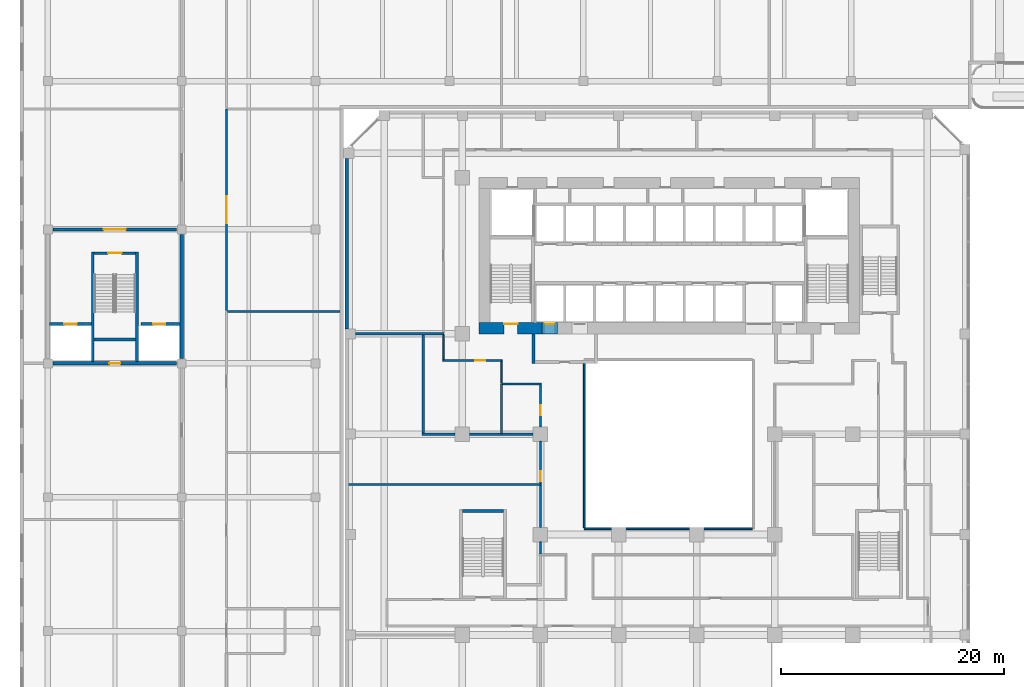
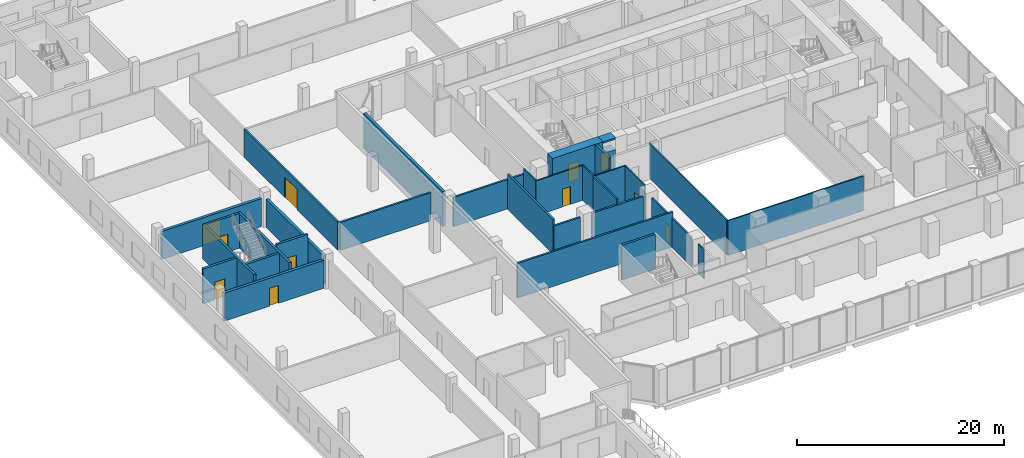
# One storey, part 17 of 35: 33 walls, 11 doors, 11 openings.
"""IFC4 building model written with IfcOpenShell, lengths in metres."""

from ifc_helpers import new_model, si_unit, direction, frame, frame_2d, origin, place, context, subcontext, project, spatial, rectangle, extrude, source, transform, mapped, material, layer, layer_set, type_object, element, fill, save


model = new_model("IFC4")

# Units and contexts
model_context = context("Model", 3, precision=1e-05, world=origin(), true_north=direction((0.0, 1.0)))
body_context = subcontext(model_context, "Body", "Model", "MODEL_VIEW")
ifc_project = project(units=[si_unit("LENGTHUNIT", "METRE"), si_unit("AREAUNIT", "SQUARE_METRE"), si_unit("VOLUMEUNIT", "CUBIC_METRE"), si_unit("PLANEANGLEUNIT", "RADIAN"), si_unit("MASSUNIT", "GRAM", prefix="KILO")], contexts=[model_context])

# Site, building, storey
site_placement = place(None, origin())
site = spatial("IfcSite", under=ifc_project, at=site_placement, CompositionType="ELEMENT")
building_placement = place(site_placement, origin())
building = spatial("IfcBuilding", under=site, at=building_placement, Name="Kilnfold Tower and Market Hall", CompositionType="ELEMENT")
storey_placement = place(building_placement, frame((0.0, 0.0, 13.5)))
storey = spatial("IfcBuildingStorey", under=building, at=storey_placement, Name="L02", CompositionType="ELEMENT", Elevation=13.5)

# Walls
ifc_material_1 = material(Name="Fire-resisting glazed screen")
ifc_layer_1 = layer(ifc_material_1, 0.14990234375)
ifc_layer_set_1 = layer_set([ifc_layer_1], Name="Fire-resisting glazed screen")
wall_type_1 = type_object("IfcWallType", Name="WALL ATRIUM 150", PredefinedType="PARTITIONING", material=ifc_layer_set_1)
wall_1_placement = place(storey_placement, frame((8.5, -9.47509765625, 0.0), z_axis=(0.0, 0.0, 1.0), x_axis=(-1.0, 0.0, 0.0)))
element("IfcWall", 1, at=wall_1_placement, inside=storey, type_object=wall_type_1, Name="Partition LY03.67", PredefinedType="PARTITIONING", context=body_context, shape_type="SweptSolid", body=[
    extrude(rectangle(XDim=15.074951171875, YDim=0.14990234375, at=frame_2d((7.53759765625, 0.0))), origin(), (0.0, 0.0, 1.0), 4.10009765625),
])
wall_2_placement = place(storey_placement, frame((-6.574951171875, -9.39990234375, 0.0), z_axis=(0.0, 0.0, 1.0), x_axis=(0.0, 1.0, 0.0)))
element("IfcWall", 2, at=wall_2_placement, inside=storey, type_object=wall_type_1, Name="Partition LY03.68", PredefinedType="PARTITIONING", context=body_context, shape_type="SweptSolid", body=[
    extrude(rectangle(XDim=15.0, YDim=0.14990234375, at=frame_2d((7.5, 0.0))), origin(), (0.0, 0.0, 1.0), 4.10009765625),
])
ifc_material_2 = material(Name="Gypsum board on steel studs", Category="steel")
ifc_layer_2 = layer(ifc_material_2, 0.14990234375)
ifc_layer_set_2 = layer_set([ifc_layer_2], Name="Gypsum board on steel studs")
wall_type_2 = type_object("IfcWallType", Name="WALL CORRIDOR 150", PredefinedType="PARTITIONING", material=ifc_layer_set_2)
wall_3_placement = place(storey_placement, frame((-10.5, -11.72509765625, 0.0), z_axis=(0.0, 0.0, 1.0), x_axis=(0.0, 1.0, 0.0)))
element("IfcWall", 3, at=wall_3_placement, inside=storey, type_object=wall_type_2, Name="Partition LY03.5", PredefinedType="PARTITIONING", context=body_context, shape_type="SweptSolid", body=[
    extrude(rectangle(XDim=1.0751953125, YDim=0.14990234375, at=frame_2d((0.53759765625, 0.0))), origin(), (0.0, 0.0, 1.0), 3.449951171875),
])
wall_4_placement = place(storey_placement, frame((-10.5, -9.35009765625, 0.0), z_axis=(0.0, 0.0, 1.0), x_axis=(0.0, 1.0, 0.0)))
element("IfcWall", 4, at=wall_4_placement, inside=storey, type_object=wall_type_2, Name="Partition LY03.6", PredefinedType="PARTITIONING", context=body_context, shape_type="SweptSolid", body=[
    extrude(rectangle(XDim=3.760009765625, YDim=0.14990234375, at=frame_2d((1.8798828125, 0.0))), origin(), (0.0, 0.0, 1.0), 3.449951171875),
])

# Wall, opening, door
wall_5_placement = place(storey_placement, frame((-10.5, -5.409912109375, 0.0), z_axis=(0.0, 0.0, 1.0), x_axis=(0.0, 1.0, 0.0)))
wall_5 = element("IfcWall", 5, at=wall_5_placement, inside=storey, type_object=wall_type_2, Name="Partition LY03.7", PredefinedType="PARTITIONING", context=body_context, shape_type="SweptSolid", body=[
    extrude(rectangle(XDim=3.760009765625, YDim=0.14990234375, at=frame_2d((1.8798828125, 0.0))), origin(), (0.0, 0.0, 1.0), 3.449951171875),
])
opening_1_placement = place(wall_5_placement, frame((0.199951171875, 0.0, 0.0)))
opening_1 = element("IfcOpeningElement", 6, at=opening_1_placement, cuts=wall_5, Name="Opening D2", PredefinedType="OPENING", context=body_context, shape_type="SweptSolid", body=[
    extrude(rectangle(XDim=0.89990234375, YDim=2.10009765625, at=frame_2d((0.449951171875, 1.050048828125))), frame((0.0, 0.0849609375, 0.0), z_axis=(0.0, -1.0, 0.0), x_axis=(1.0, 0.0, 0.0)), (0.0, 0.0, 1.0), 0.169921875),
])
ifc_material_3 = material(Name="Timber veneer door leaf in steel frame", Category="steel")
door_type_1 = type_object("IfcDoorType", Name="DOOR ROOM 900 X2100", OperationType="NOTDEFINED", PredefinedType="DOOR", material=ifc_material_3)
door_1_placement = place(opening_1_placement, origin())
door_1 = element("IfcDoor", 7, at=door_1_placement, inside=storey, type_object=door_type_1, Name="Door D2", OperationType="SINGLE_SWING_LEFT", OverallHeight=2.10009765625, OverallWidth=0.89990234375, PredefinedType="DOOR", context=body_context, shape_type="SweptSolid", body=[
    extrude(rectangle(XDim=0.89990234375, YDim=2.10009765625, at=frame_2d((0.449951171875, 1.050048828125))), frame((0.0, 0.02490234375, 0.0), z_axis=(0.0, -1.0, 0.0), x_axis=(1.0, 0.0, 0.0)), (0.0, 0.0, 1.0), 0.050048828125),
])
fill(opening_1, door_1)

# Wall
wall_6_placement = place(storey_placement, frame((-14.0, 5.52490234375, 0.0), z_axis=(0.0, 0.0, 1.0), x_axis=(0.0, -1.0, 0.0)))
element("IfcWall", 8, at=wall_6_placement, inside=storey, type_object=wall_type_2, Name="Partition LY03.11", PredefinedType="PARTITIONING", context=body_context, shape_type="SweptSolid", body=[
    extrude(rectangle(XDim=1.949951171875, YDim=0.14990234375, at=frame_2d((0.97509765625, 0.0))), origin(), (0.0, 0.0, 1.0), 4.10009765625),
])

# Wall, opening, door
wall_7_placement = place(storey_placement, frame((-19.27490234375, 5.60009765625, 0.0), z_axis=(0.0, 0.0, 1.0), x_axis=(1.0, 0.0, 0.0)))
wall_7 = element("IfcWall", 9, at=wall_7_placement, inside=storey, type_object=wall_type_2, Name="Partition LY03.12", PredefinedType="PARTITIONING", context=body_context, shape_type="SweptSolid", body=[
    extrude(rectangle(XDim=5.349853515625, YDim=0.14990234375, at=frame_2d((2.6748046875, 0.0))), origin(), (0.0, 0.0, 1.0), 4.10009765625),
])
opening_2_placement = place(wall_7_placement, frame((2.93408203125, 0.0, 0.0)))
opening_2 = element("IfcOpeningElement", 10, at=opening_2_placement, cuts=wall_7, Name="Opening D2", PredefinedType="OPENING", context=body_context, shape_type="SweptSolid", body=[
    extrude(rectangle(XDim=0.89990234375, YDim=2.10009765625, at=frame_2d((0.449951171875, 1.050048828125))), frame((0.0, 0.0849609375, 0.0), z_axis=(0.0, -1.0, 0.0), x_axis=(1.0, 0.0, 0.0)), (0.0, 0.0, 1.0), 0.169921875),
])
door_2_placement = place(opening_2_placement, origin())
door_2 = element("IfcDoor", 11, at=door_2_placement, inside=storey, type_object=door_type_1, Name="Door D2", OperationType="SINGLE_SWING_RIGHT", OverallHeight=2.10009765625, OverallWidth=0.89990234375, PredefinedType="DOOR", context=body_context, shape_type="SweptSolid", body=[
    extrude(rectangle(XDim=0.89990234375, YDim=2.10009765625, at=frame_2d((0.449951171875, 1.050048828125))), frame((0.0, 0.02490234375, 0.0), z_axis=(0.0, -1.0, 0.0), x_axis=(1.0, 0.0, 0.0)), (0.0, 0.0, 1.0), 0.050048828125),
])
fill(opening_2, door_2)

# Wall
wall_8_placement = place(storey_placement, frame((-19.199951171875, 5.675048828125, 0.0), z_axis=(0.0, 0.0, 1.0), x_axis=(0.0, 1.0, 0.0)))
element("IfcWall", 12, at=wall_8_placement, inside=storey, type_object=wall_type_2, Name="Partition LY03.13", PredefinedType="PARTITIONING", context=body_context, shape_type="SweptSolid", body=[
    extrude(rectangle(XDim=2.23486328125, YDim=0.14990234375, at=frame_2d((1.117431640625, 0.0))), origin(), (0.0, 0.0, 1.0), 4.10009765625),
])

# Wall, opening, door
wall_9_placement = place(storey_placement, frame((-10.5, -0.35009765625, 0.0), z_axis=(0.0, 0.0, 1.0), x_axis=(0.0, 1.0, 0.0)))
wall_9 = element("IfcWall", 13, at=wall_9_placement, inside=storey, type_object=wall_type_2, Name="Partition LY03.14", PredefinedType="PARTITIONING", context=body_context, shape_type="SweptSolid", body=[
    extrude(rectangle(XDim=3.775146484375, YDim=0.14990234375, at=frame_2d((1.8876953125, 0.0))), origin(), (0.0, 0.0, 1.0), 4.10009765625),
])
opening_3_placement = place(wall_9_placement, frame((1.02490234375, 0.0, 0.0)))
opening_3 = element("IfcOpeningElement", 14, at=opening_3_placement, cuts=wall_9, Name="Opening D2", PredefinedType="OPENING", context=body_context, shape_type="SweptSolid", body=[
    extrude(rectangle(XDim=0.89990234375, YDim=2.10009765625, at=frame_2d((0.449951171875, 1.050048828125))), frame((0.0, 0.0849609375, 0.0), z_axis=(0.0, -1.0, 0.0), x_axis=(1.0, 0.0, 0.0)), (0.0, 0.0, 1.0), 0.169921875),
])
door_3_placement = place(opening_3_placement, origin())
door_3 = element("IfcDoor", 15, at=door_3_placement, inside=storey, type_object=door_type_1, Name="Door D2", OperationType="SINGLE_SWING_LEFT", OverallHeight=2.10009765625, OverallWidth=0.89990234375, PredefinedType="DOOR", context=body_context, shape_type="SweptSolid", body=[
    extrude(rectangle(XDim=0.89990234375, YDim=2.10009765625, at=frame_2d((0.449951171875, 1.050048828125))), frame((0.0, 0.02490234375, 0.0), z_axis=(0.0, -1.0, 0.0), x_axis=(1.0, 0.0, 0.0)), (0.0, 0.0, 1.0), 0.050048828125),
])
fill(opening_3, door_3)

# Walls
wall_10_placement = place(storey_placement, frame((-13.90087890625, 3.5, 0.0), z_axis=(0.0, 0.0, 1.0), x_axis=(1.0, 0.0, 0.0)))
element("IfcWall", 16, at=wall_10_placement, inside=storey, type_object=wall_type_2, Name="Partition LY03.15", PredefinedType="PARTITIONING", context=body_context, shape_type="SweptSolid", body=[
    extrude(rectangle(XDim=3.475830078125, YDim=0.14990234375, at=frame_2d((1.73779296875, 0.0))), origin(), (0.0, 0.0, 1.0), 4.10009765625),
])
ifc_material_4 = material(Name="Gypsum board on steel studs", Category="steel")
ifc_layer_3 = layer(ifc_material_4, 0.199951171875)
ifc_layer_set_3 = layer_set([ifc_layer_3], Name="Gypsum board on steel studs")
wall_type_3 = type_object("IfcWallType", Name="WALL PARTY 200", PredefinedType="PARTITIONING", material=ifc_layer_set_3)
wall_11_placement = place(storey_placement, frame((-27.75, -5.5, 0.0), z_axis=(0.0, 0.0, 1.0), x_axis=(1.0, 0.0, 0.0)))
element("IfcWall", 17, at=wall_11_placement, inside=storey, type_object=wall_type_3, Name="Partition LY03.42", PredefinedType="PARTITIONING", context=body_context, shape_type="SweptSolid", body=[
    extrude(rectangle(XDim=17.323974609375, YDim=0.199951171875, at=frame_2d((8.662109375, 0.0))), origin(), (0.0, 0.0, 1.0), 4.10009765625),
])
wall_12_placement = place(storey_placement, frame((-27.10009765625, 8.0, 0.0), z_axis=(0.0, 0.0, 1.0), x_axis=(1.0, 0.0, 0.0)))
element("IfcWall", 18, at=wall_12_placement, inside=storey, type_object=wall_type_3, Name="Partition LY03.46", PredefinedType="PARTITIONING", context=body_context, shape_type="SweptSolid", body=[
    extrude(rectangle(XDim=7.97412109375, YDim=0.199951171875, at=frame_2d((3.987060546875, 0.0))), origin(), (0.0, 0.0, 1.0), 3.449951171875),
])
wall_13_placement = place(storey_placement, frame((-21.097900390625, -1.0, 0.0), z_axis=(0.0, 0.0, 1.0), x_axis=(1.0, 0.0, 0.0)))
element("IfcWall", 19, at=wall_13_placement, inside=storey, type_object=wall_type_3, Name="Partition LY03.47", PredefinedType="PARTITIONING", context=body_context, shape_type="SweptSolid", body=[
    extrude(rectangle(XDim=2.947998046875, YDim=0.199951171875, at=frame_2d((1.47412109375, 0.0))), origin(), (0.0, 0.0, 1.0), 3.449951171875),
])
wall_14_placement = place(storey_placement, frame((-16.85009765625, -1.0, 0.0), z_axis=(0.0, 0.0, 1.0), x_axis=(1.0, 0.0, 0.0)))
element("IfcWall", 20, at=wall_14_placement, inside=storey, type_object=wall_type_3, Name="Partition LY03.48", PredefinedType="PARTITIONING", context=body_context, shape_type="SweptSolid", body=[
    extrude(rectangle(XDim=5.7001953125, YDim=0.199951171875, at=frame_2d((2.85009765625, 0.0))), origin(), (0.0, 0.0, 1.0), 3.449951171875),
])
wall_15_placement = place(storey_placement, frame((-21.0, -0.89794921875, 0.0), z_axis=(0.0, 0.0, 1.0), x_axis=(0.0, 1.0, 0.0)))
element("IfcWall", 21, at=wall_15_placement, inside=storey, type_object=wall_type_3, Name="Partition LY03.49", PredefinedType="PARTITIONING", context=body_context, shape_type="SweptSolid", body=[
    extrude(rectangle(XDim=8.7978515625, YDim=0.199951171875, at=frame_2d((4.39892578125, 0.0))), origin(), (0.0, 0.0, 1.0), 4.10009765625),
])
wall_16_placement = place(storey_placement, frame((-14.0, -1.0, 0.0), z_axis=(0.0, 0.0, 1.0), x_axis=(-0.000216579128, 0.999999976547, 0.0)))
element("IfcWall", 22, at=wall_16_placement, inside=storey, type_object=wall_type_3, Name="Partition LY03.53", PredefinedType="PARTITIONING", context=body_context, shape_type="SweptSolid", body=[
    extrude(rectangle(XDim=4.509033203125, YDim=0.199951171875, at=frame_2d((2.25439453125, 0.0))), origin(), (0.0, 0.0, 1.0), 4.10009765625),
])

# Wall, opening, door
ifc_material_5 = material(Name="Concrete C80", Category="concrete")
ifc_layer_4 = layer(ifc_material_5, 1.0)
ifc_layer_set_4 = layer_set([ifc_layer_4], Name="Concrete C80")
wall_type_4 = type_object("IfcWallType", Name="CORE WALL 1000 C80", PredefinedType="SHEAR", material=ifc_layer_set_4)
shared_shape_1 = source(origin(), body_context, "Body", "SweptSolid", [
    extrude(rectangle(XDim=5.6298828125, YDim=1.0, at=frame_2d((2.81494140625, 0.0))), origin(), (0.0, 0.0, 1.0), 4.10009765625),
])
wall_17_placement = place(storey_placement, frame((-16.0, 8.5, 0.0), z_axis=(0.0, 0.0, 1.0), x_axis=(1.0, 0.0, 0.0)))
wall_17 = element("IfcWall", 23, at=wall_17_placement, inside=storey, type_object=wall_type_4, Name="Core outer wall south", PredefinedType="SHEAR", context=body_context, shape_type="MappedRepresentation", body=[
    mapped(shared_shape_1, transform((0.0, 0.0, 0.0))),
])
opening_4_placement = place(wall_17_placement, frame((2.25, 0.0, 0.0)))
opening_4 = element("IfcOpeningElement", 24, at=opening_4_placement, cuts=wall_17, Name="Opening SD1", PredefinedType="OPENING", context=body_context, shape_type="SweptSolid", body=[
    extrude(rectangle(XDim=1.199951171875, YDim=2.10009765625, at=frame_2d((0.60009765625, 1.050048828125))), frame((0.0, 0.510009765625, 0.0), z_axis=(0.0, -1.0, 0.0), x_axis=(1.0, 0.0, 0.0)), (0.0, 0.0, 1.0), 1.02001953125),
])
ifc_material_6 = material(Name="Steel door set with fire-resisting leaf", Category="steel")
door_type_2 = type_object("IfcDoorType", Name="STAIR FLOOR DOOR 1200X2100", OperationType="NOTDEFINED", PredefinedType="DOOR", material=ifc_material_6)
door_4_placement = place(opening_4_placement, origin())
door_4 = element("IfcDoor", 25, at=door_4_placement, inside=storey, type_object=door_type_2, Name="Exit stair ST1 door", OperationType="DOUBLE_DOOR_SINGLE_SWING", OverallHeight=2.10009765625, OverallWidth=1.199951171875, PredefinedType="DOOR", context=body_context, shape_type="SweptSolid", body=[
    extrude(rectangle(XDim=1.199951171875, YDim=2.10009765625, at=frame_2d((0.60009765625, 1.050048828125))), frame((0.0, 0.40478515625, 0.0), z_axis=(0.0, -1.0, 0.0), x_axis=(1.0, 0.0, 0.0)), (0.0, 0.0, 1.0), 0.050048828125),
])
fill(opening_4, door_4)

# Walls
ifc_material_7 = material(Name="Concrete C80", Category="concrete")
ifc_layer_5 = layer(ifc_material_7, 0.25)
ifc_layer_set_5 = layer_set([ifc_layer_5], Name="Concrete C80")
wall_type_5 = type_object("IfcWallType", Name="CORE WALL 250 C80", PredefinedType="SHEAR", material=ifc_layer_set_5)
shared_shape_2 = source(origin(), body_context, "Body", "SweptSolid", [
    extrude(rectangle(XDim=3.699951171875, YDim=0.25, at=frame_2d((1.85009765625, 0.0))), origin(), (0.0, 0.0, 1.0), 4.10009765625),
])
wall_18_placement = place(storey_placement, frame((-17.5, -7.875, 0.0), z_axis=(0.0, 0.0, 1.0), x_axis=(1.0, 0.0, 0.0)))
element("IfcWall", 26, at=wall_18_placement, inside=storey, type_object=wall_type_5, Name="Stair enclosure ST3", PredefinedType="SHEAR", context=body_context, shape_type="MappedRepresentation", body=[
    mapped(shared_shape_2, transform((0.0, 0.0, 0.0))),
])
ifc_material_8 = material(Name="Concrete C50/60", Category="concrete")
ifc_layer_6 = layer(ifc_material_8, 0.25)
ifc_layer_set_6 = layer_set([ifc_layer_6], Name="Concrete C50/60")
wall_type_6 = type_object("IfcWallType", Name="HALL CORE WALL 250", PredefinedType="SHEAR", material=ifc_layer_set_6)
wall_19_placement = place(storey_placement, frame((-50.5, 7.47509765625, 0.0), z_axis=(0.0, 0.0, 1.0), x_axis=(1.0, 0.0, 0.0)))
element("IfcWall", 27, at=wall_19_placement, inside=storey, type_object=wall_type_6, Name="Core wall MH1", PredefinedType="SHEAR", context=body_context, shape_type="MappedRepresentation", body=[
    mapped(shared_shape_2, transform((0.0, 0.0, 0.0))),
])

# Wall, opening, door
wall_20_placement = place(storey_placement, frame((-50.5, 15.22509765625, 0.0), z_axis=(0.0, 0.0, 1.0), x_axis=(1.0, 0.0, 0.0)))
wall_20 = element("IfcWall", 28, at=wall_20_placement, inside=storey, type_object=wall_type_6, Name="Core wall MH1", PredefinedType="SHEAR", context=body_context, shape_type="MappedRepresentation", body=[
    mapped(shared_shape_2, transform((0.0, 0.0, 0.0))),
])
opening_5_placement = place(wall_20_placement, frame((1.25, 0.0, 0.0)))
opening_5 = element("IfcOpeningElement", 29, at=opening_5_placement, cuts=wall_20, Name="Opening MD9-60", PredefinedType="OPENING", context=body_context, shape_type="SweptSolid", body=[
    extrude(rectangle(XDim=1.199951171875, YDim=2.10009765625, at=frame_2d((0.60009765625, 1.050048828125))), frame((0.0, 0.135009765625, 0.0), z_axis=(0.0, -1.0, 0.0), x_axis=(1.0, 0.0, 0.0)), (0.0, 0.0, 1.0), 0.27001953125),
])
ifc_material_9 = material(Name="Steel S355", Category="steel")
door_type_3 = type_object("IfcDoorType", Name="HALL DOOR STAIR 1200X2100 FD60", OperationType="NOTDEFINED", PredefinedType="DOOR", material=ifc_material_9)
door_5_placement = place(opening_5_placement, origin())
door_5 = element("IfcDoor", 30, at=door_5_placement, inside=storey, type_object=door_type_3, Name="Door MD9-60", OperationType="DOUBLE_DOOR_SINGLE_SWING", OverallHeight=2.10009765625, OverallWidth=1.199951171875, PredefinedType="DOOR", context=body_context, shape_type="SweptSolid", body=[
    extrude(rectangle(XDim=1.199951171875, YDim=2.10009765625, at=frame_2d((0.60009765625, 1.050048828125))), frame((0.0, 0.02490234375, 0.0), z_axis=(0.0, -1.0, 0.0), x_axis=(1.0, 0.0, 0.0)), (0.0, 0.0, 1.0), 0.050048828125),
])
fill(opening_5, door_5)

# Walls
shared_shape_3 = source(origin(), body_context, "Body", "SweptSolid", [
    extrude(rectangle(XDim=1.400146484375, YDim=1.0, at=frame_2d((0.7001953125, 0.0))), origin(), (0.0, 0.0, 1.0), 0.2001953125),
])
wall_21_placement = place(storey_placement, frame((-10.3701171875, 8.5, 3.89990234375), z_axis=(0.0, 0.0, 1.0), x_axis=(1.0, 0.0, 0.0)))
element("IfcWall", 31, at=wall_21_placement, inside=storey, type_object=wall_type_4, Name="Core wall over opening", PredefinedType="SHEAR", context=body_context, shape_type="MappedRepresentation", body=[
    mapped(shared_shape_3, transform((0.0, 0.0, 0.0))),
])
shared_shape_4 = source(origin(), body_context, "Body", "SweptSolid", [
    extrude(rectangle(XDim=9.85009765625, YDim=0.25, at=frame_2d((4.925048828125, 0.0))), origin(), (0.0, 0.0, 1.0), 4.10009765625),
])
for number, where, z_axis, x_axis, name in (
    (32, (-50.625, 5.5, 0.0), (0.0, 0.0, 1.0), (0.0, 1.0, 0.0), "Core wall MH1"),
    (33, (-46.675048828125, 5.5, 0.0), (0.0, 0.0, 1.0), (0.0, 1.0, 0.0), "Core wall MH1"),
):
    element("IfcWall", number, at=place(storey_placement, frame(where, z_axis=z_axis, x_axis=x_axis)), inside=storey, type_object=wall_type_6, Name=name, PredefinedType="SHEAR", context=body_context, shape_type="MappedRepresentation", body=[
        mapped(shared_shape_4, transform((0.0, 0.0, 0.0))),
    ])

# Wall, opening, door
shared_shape_5 = source(origin(), body_context, "Body", "SweptSolid", [
    extrude(rectangle(XDim=3.75, YDim=0.25, at=frame_2d((1.875, 0.0))), origin(), (0.0, 0.0, 1.0), 4.10009765625),
])
wall_22_placement = place(storey_placement, frame((-54.5, 8.875, 0.0), z_axis=(0.0, 0.0, 1.0), x_axis=(1.0, 0.0, 0.0)))
wall_22 = element("IfcWall", 34, at=wall_22_placement, inside=storey, type_object=wall_type_6, Name="Core wall MH1", PredefinedType="SHEAR", context=body_context, shape_type="MappedRepresentation", body=[
    mapped(shared_shape_5, transform((0.0, 0.0, 0.0))),
])
opening_6_placement = place(wall_22_placement, frame((1.324951171875, 0.0, 0.0)))
opening_6 = element("IfcOpeningElement", 35, at=opening_6_placement, cuts=wall_22, Name="Opening LD", PredefinedType="OPENING", context=body_context, shape_type="SweptSolid", body=[
    extrude(rectangle(XDim=1.10009765625, YDim=2.10009765625, at=frame_2d((0.550048828125, 1.050048828125))), frame((0.0, 0.135009765625, 0.0), z_axis=(0.0, -1.0, 0.0), x_axis=(1.0, 0.0, 0.0)), (0.0, 0.0, 1.0), 0.27001953125),
])
ifc_material_10 = material(Name="Steel S355", Category="steel")
door_type_4 = type_object("IfcDoorType", Name="HALL LANDING DOOR 1100X2100 FD60", OperationType="NOTDEFINED", PredefinedType="DOOR", material=ifc_material_10)
door_6_placement = place(opening_6_placement, origin())
door_6 = element("IfcDoor", 36, at=door_6_placement, inside=storey, type_object=door_type_4, Name="Door LD", OperationType="SLIDING_TO_LEFT", OverallHeight=2.10009765625, OverallWidth=1.10009765625, PredefinedType="DOOR", context=body_context, shape_type="SweptSolid", body=[
    extrude(rectangle(XDim=1.10009765625, YDim=2.10009765625, at=frame_2d((0.550048828125, 1.050048828125))), frame((0.0, 0.02490234375, 0.0), z_axis=(0.0, -1.0, 0.0), x_axis=(1.0, 0.0, 0.0)), (0.0, 0.0, 1.0), 0.050048828125),
])
fill(opening_6, door_6)

shared_shape_6 = source(origin(), body_context, "Body", "SweptSolid", [
    extrude(rectangle(XDim=3.5, YDim=0.25, at=frame_2d((1.75, 0.0))), origin(), (0.0, 0.0, 1.0), 4.10009765625),
])
wall_23_placement = place(storey_placement, frame((-46.300048828125, 8.875, 0.0), z_axis=(0.0, 0.0, 1.0), x_axis=(1.0, 0.0, 0.0)))
wall_23 = element("IfcWall", 37, at=wall_23_placement, inside=storey, type_object=wall_type_6, Name="Core wall MH1", PredefinedType="SHEAR", context=body_context, shape_type="MappedRepresentation", body=[
    mapped(shared_shape_6, transform((0.0, 0.0, 0.0))),
])
opening_7_placement = place(wall_23_placement, frame((1.074951171875, 0.0, 0.0)))
opening_7 = element("IfcOpeningElement", 38, at=opening_7_placement, cuts=wall_23, Name="Opening LD", PredefinedType="OPENING", context=body_context, shape_type="SweptSolid", body=[
    extrude(rectangle(XDim=1.10009765625, YDim=2.10009765625, at=frame_2d((0.550048828125, 1.050048828125))), frame((0.0, 0.135009765625, 0.0), z_axis=(0.0, -1.0, 0.0), x_axis=(1.0, 0.0, 0.0)), (0.0, 0.0, 1.0), 0.27001953125),
])
door_7_placement = place(opening_7_placement, origin())
door_7 = element("IfcDoor", 39, at=door_7_placement, inside=storey, type_object=door_type_4, Name="Door LD", OperationType="SLIDING_TO_LEFT", OverallHeight=2.10009765625, OverallWidth=1.10009765625, PredefinedType="DOOR", context=body_context, shape_type="SweptSolid", body=[
    extrude(rectangle(XDim=1.10009765625, YDim=2.10009765625, at=frame_2d((0.550048828125, 1.050048828125))), frame((0.0, 0.02490234375, 0.0), z_axis=(0.0, -1.0, 0.0), x_axis=(1.0, 0.0, 0.0)), (0.0, 0.0, 1.0), 0.050048828125),
])
fill(opening_7, door_7)

ifc_material_11 = material(Name="Concrete C50/60", Category="concrete")
ifc_layer_7 = layer(ifc_material_11, 0.300048828125)
ifc_layer_set_7 = layer_set([ifc_layer_7], Name="Concrete C50/60")
wall_type_7 = type_object("IfcWallType", Name="HALL CORE WALL 300", PredefinedType="SHEAR", material=ifc_layer_set_7)
shared_shape_7 = source(origin(), body_context, "Body", "SweptSolid", [
    extrude(rectangle(XDim=11.099853515625, YDim=0.300048828125, at=frame_2d((5.5498046875, 0.0))), origin(), (0.0, 0.0, 1.0), 3.300048828125),
])
wall_24_placement = place(storey_placement, frame((-54.199951171875, 5.35009765625, 0.0), z_axis=(0.0, 0.0, 1.0), x_axis=(1.0, 0.0, 0.0)))
wall_24 = element("IfcWall", 40, at=wall_24_placement, inside=storey, type_object=wall_type_7, Name="Core wall MH1", PredefinedType="SHEAR", context=body_context, shape_type="MappedRepresentation", body=[
    mapped(shared_shape_7, transform((0.0, 0.0, 0.0))),
])
opening_8_placement = place(wall_24_placement, frame((5.050048828125, 0.0, 0.0)))
opening_8 = element("IfcOpeningElement", 41, at=opening_8_placement, cuts=wall_24, Name="Opening MD4-60", PredefinedType="OPENING", context=body_context, shape_type="SweptSolid", body=[
    extrude(rectangle(XDim=1.0, YDim=2.10009765625, at=frame_2d((0.5, 1.050048828125))), frame((0.0, 0.16015625, 0.0), z_axis=(0.0, -1.0, 0.0), x_axis=(1.0, 0.0, 0.0)), (0.0, 0.0, 1.0), 0.320068359375),
])
ifc_material_12 = material(Name="Steel S355", Category="steel")
door_type_5 = type_object("IfcDoorType", Name="HALL DOOR RISER 1000X2100 FD60", OperationType="NOTDEFINED", PredefinedType="DOOR", material=ifc_material_12)
door_8_placement = place(opening_8_placement, origin())
door_8 = element("IfcDoor", 42, at=door_8_placement, inside=storey, type_object=door_type_5, Name="Door MD4-60", OperationType="SINGLE_SWING_RIGHT", OverallHeight=2.10009765625, OverallWidth=1.0, PredefinedType="DOOR", context=body_context, shape_type="SweptSolid", body=[
    extrude(rectangle(XDim=1.0, YDim=2.10009765625, at=frame_2d((0.5, 1.050048828125))), frame((0.0, 0.02490234375, 0.0), z_axis=(0.0, -1.0, 0.0), x_axis=(1.0, 0.0, 0.0)), (0.0, 0.0, 1.0), 0.050048828125),
])
fill(opening_8, door_8)

wall_25_placement = place(storey_placement, frame((-54.199951171875, 17.35009765625, 0.0), z_axis=(0.0, 0.0, 1.0), x_axis=(1.0, 0.0, 0.0)))
wall_25 = element("IfcWall", 43, at=wall_25_placement, inside=storey, type_object=wall_type_7, Name="Core wall MH1", PredefinedType="SHEAR", context=body_context, shape_type="MappedRepresentation", body=[
    mapped(shared_shape_7, transform((0.0, 0.0, 0.0))),
])
opening_9_placement = place(wall_25_placement, frame((4.550048828125, 0.0, 0.0)))
opening_9 = element("IfcOpeningElement", 44, at=opening_9_placement, cuts=wall_25, Name="Opening MD10-60", PredefinedType="OPENING", context=body_context, shape_type="SweptSolid", body=[
    extrude(rectangle(XDim=2.0, YDim=2.39990234375, at=frame_2d((1.0, 1.199951171875))), frame((0.0, 0.16015625, 0.0), z_axis=(0.0, -1.0, 0.0), x_axis=(1.0, 0.0, 0.0)), (0.0, 0.0, 1.0), 0.320068359375),
])
ifc_material_13 = material(Name="Aluminium glazing", Category="aluminium")
door_type_6 = type_object("IfcDoorType", Name="HALL DOOR LOBBY 2000X2400 FD60", OperationType="NOTDEFINED", PredefinedType="DOOR", material=ifc_material_13)
door_9_placement = place(opening_9_placement, origin())
door_9 = element("IfcDoor", 45, at=door_9_placement, inside=storey, type_object=door_type_6, Name="Door MD10-60", OperationType="DOUBLE_DOOR_SINGLE_SWING", OverallHeight=2.39990234375, OverallWidth=2.0, PredefinedType="DOOR", context=body_context, shape_type="SweptSolid", body=[
    extrude(rectangle(XDim=2.0, YDim=2.39990234375, at=frame_2d((1.0, 1.199951171875))), frame((0.0, 0.02490234375, 0.0), z_axis=(0.0, -1.0, 0.0), x_axis=(1.0, 0.0, 0.0)), (0.0, 0.0, 1.0), 0.050048828125),
])
fill(opening_9, door_9)

# Walls
wall_26_placement = place(storey_placement, frame((-42.64990234375, 5.800048828125, 0.0), z_axis=(0.0, 0.0, 1.0), x_axis=(0.0, 1.0, 0.0)))
element("IfcWall", 46, at=wall_26_placement, inside=storey, type_object=wall_type_7, Name="Core wall MH1", PredefinedType="SHEAR", context=body_context, shape_type="MappedRepresentation", body=[
    mapped(shared_shape_7, transform((0.0, 0.0, 0.0))),
])
ifc_material_14 = material(Name="Precast concrete C50/60", Category="concrete")
ifc_layer_8 = layer(ifc_material_14, 0.300048828125)
ifc_layer_set_8 = layer_set([ifc_layer_8], Name="Precast concrete C50/60")
wall_type_8 = type_object("IfcWallType", Name="PRECAST WALL 300", PredefinedType="SOLIDWALL", material=ifc_layer_set_8)
shared_shape_8 = source(origin(), body_context, "Body", "SweptSolid", [
    extrude(rectangle(XDim=15.28173828125, YDim=0.300048828125, at=frame_2d((7.640869140625, 0.0))), origin(), (0.0, 0.0, 1.0), 4.10009765625),
])
wall_27_placement = place(storey_placement, frame((-27.85009765625, 23.731689453125, 0.0), z_axis=(0.0, 0.0, 1.0), x_axis=(0.0, -1.0, 0.0)))
element("IfcWall", 47, at=wall_27_placement, inside=storey, type_object=wall_type_8, Name="Party wall L02 W", PredefinedType="SOLIDWALL", context=body_context, shape_type="MappedRepresentation", body=[
    mapped(shared_shape_8, transform((0.0, 0.0, 0.0))),
])
ifc_material_15 = material(Name="Gypsum shaft wall system")
ifc_layer_9 = layer(ifc_material_15, 0.25)
ifc_layer_set_9 = layer_set([ifc_layer_9], Name="Gypsum shaft wall system")
wall_type_9 = type_object("IfcWallType", Name="LOBBY WALL 250", PredefinedType="PARTITIONING", material=ifc_layer_set_9)
shared_shape_9 = source(origin(), body_context, "Body", "SweptSolid", [
    extrude(rectangle(XDim=2.64990234375, YDim=0.25, at=frame_2d((1.324951171875, 0.0))), origin(), (0.0, 0.0, 1.0), 4.10009765625),
])
wall_28_placement = place(storey_placement, frame((-11.135009765625, 5.35009765625, 0.0), z_axis=(0.0, 0.0, 1.0), x_axis=(0.0, 1.0, 0.0)))
element("IfcWall", 48, at=wall_28_placement, inside=storey, type_object=wall_type_9, Name="Firefighting lobby wall", PredefinedType="PARTITIONING", context=body_context, shape_type="MappedRepresentation", body=[
    mapped(shared_shape_9, transform((0.0, 0.0, 0.0))),
])

# Wall, opening, door
ifc_material_16 = material(Name="Gypsum shaft wall system")
ifc_layer_10 = layer(ifc_material_16, 1.0)
ifc_layer_set_10 = layer_set([ifc_layer_10], Name="Gypsum shaft wall system")
wall_type_10 = type_object("IfcWallType", Name="LOBBY WALL 1000", PredefinedType="PARTITIONING", material=ifc_layer_set_10)
shared_shape_10 = source(origin(), body_context, "Body", "SweptSolid", [
    extrude(rectangle(XDim=1.400146484375, YDim=1.0, at=frame_2d((0.7001953125, 0.0))), origin(), (0.0, 0.0, 1.0), 2.699951171875),
])
wall_29_placement = place(storey_placement, frame((-10.3701171875, 8.5, 0.0), z_axis=(0.0, 0.0, 1.0), x_axis=(1.0, 0.0, 0.0)))
wall_29 = element("IfcWall", 49, at=wall_29_placement, inside=storey, type_object=wall_type_10, Name="Core wall infill", PredefinedType="PARTITIONING", context=body_context, shape_type="MappedRepresentation", body=[
    mapped(shared_shape_10, transform((0.0, 0.0, 0.0))),
])
opening_10_placement = place(wall_29_placement, frame((0.25, 0.0, 0.0)))
opening_10 = element("IfcOpeningElement", 50, at=opening_10_placement, cuts=wall_29, Name="Opening LD1", PredefinedType="OPENING", context=body_context, shape_type="SweptSolid", body=[
    extrude(rectangle(XDim=0.89990234375, YDim=2.10009765625, at=frame_2d((0.449951171875, 1.050048828125))), frame((0.0, 0.510009765625, 0.0), z_axis=(0.0, -1.0, 0.0), x_axis=(1.0, 0.0, 0.0)), (0.0, 0.0, 1.0), 1.02001953125),
])
ifc_material_17 = material(Name="Steel door set with fire-resisting leaf", Category="steel")
door_type_7 = type_object("IfcDoorType", Name="FIREFIGHTING LANDING DOOR 900X2100", OperationType="NOTDEFINED", PredefinedType="DOOR", material=ifc_material_17)
door_10_placement = place(opening_10_placement, origin())
door_10 = element("IfcDoor", 51, at=door_10_placement, inside=storey, type_object=door_type_7, Name="Landing door FF1", OperationType="SLIDING_TO_LEFT", OverallHeight=2.10009765625, OverallWidth=0.89990234375, PredefinedType="DOOR", context=body_context, shape_type="SweptSolid", body=[
    extrude(rectangle(XDim=0.89990234375, YDim=2.10009765625, at=frame_2d((0.449951171875, 1.050048828125))), frame((0.0, 0.40478515625, 0.0), z_axis=(0.0, -1.0, 0.0), x_axis=(1.0, 0.0, 0.0)), (0.0, 0.0, 1.0), 0.050048828125),
])
fill(opening_10, door_10)

# Wall
ifc_material_18 = material(Name="Concrete blockwork", Category="masonry")
ifc_layer_11 = layer(ifc_material_18, 0.199951171875)
ifc_layer_set_11 = layer_set([ifc_layer_11], Name="Concrete blockwork")
wall_type_11 = type_object("IfcWallType", Name="HALL PARTITION 200 EI 60", PredefinedType="PARTITIONING", material=ifc_layer_set_11)
shared_shape_11 = source(origin(), body_context, "Body", "SweptSolid", [
    extrude(rectangle(XDim=10.10009765625, YDim=0.199951171875, at=frame_2d((5.050048828125, 0.0))), origin(), (0.0, 0.0, 1.0), 3.300048828125),
])
wall_30_placement = place(storey_placement, frame((-38.550048828125, 10.0, 0.0), z_axis=(0.0, 0.0, 1.0), x_axis=(1.0, 0.0, 0.0)))
element("IfcWall", 52, at=wall_30_placement, inside=storey, type_object=wall_type_11, Name="Partition W-MH-L02.25", PredefinedType="PARTITIONING", context=body_context, shape_type="MappedRepresentation", body=[
    mapped(shared_shape_11, transform((0.0, 0.0, 0.0))),
])

# Wall, opening, door
shared_shape_12 = source(origin(), body_context, "Body", "SweptSolid", [
    extrude(rectangle(XDim=18.0498046875, YDim=0.199951171875, at=frame_2d((9.02490234375, 0.0))), origin(), (0.0, 0.0, 1.0), 3.300048828125),
])
wall_31_placement = place(storey_placement, frame((-38.64990234375, 28.14990234375, 0.0), z_axis=(0.0, 0.0, 1.0), x_axis=(0.0, -1.0, 0.0)))
wall_31 = element("IfcWall", 53, at=wall_31_placement, inside=storey, type_object=wall_type_11, Name="Partition W-MH-L02.26", PredefinedType="PARTITIONING", context=body_context, shape_type="MappedRepresentation", body=[
    mapped(shared_shape_12, transform((0.0, 0.0, 0.0))),
])
opening_11_placement = place(wall_31_placement, frame((7.824951171875, 0.0, 0.0)))
opening_11 = element("IfcOpeningElement", 54, at=opening_11_placement, cuts=wall_31, Name="Opening MD7-60", PredefinedType="OPENING", context=body_context, shape_type="SweptSolid", body=[
    extrude(rectangle(XDim=2.39990234375, YDim=2.39990234375, at=frame_2d((1.199951171875, 1.199951171875))), frame((0.0, 0.10986328125, 0.0), z_axis=(0.0, -1.0, 0.0), x_axis=(1.0, 0.0, 0.0)), (0.0, 0.0, 1.0), 0.219970703125),
])
ifc_material_19 = material(Name="Aluminium glazing", Category="aluminium")
door_type_8 = type_object("IfcDoorType", Name="HALL DOOR HALL 2400X2400 FD60", OperationType="NOTDEFINED", PredefinedType="DOOR", material=ifc_material_19)
door_11_placement = place(opening_11_placement, origin())
door_11 = element("IfcDoor", 55, at=door_11_placement, inside=storey, type_object=door_type_8, Name="Door MD7-60", OperationType="DOUBLE_DOOR_SINGLE_SWING", OverallHeight=2.39990234375, OverallWidth=2.39990234375, PredefinedType="DOOR", context=body_context, shape_type="SweptSolid", body=[
    extrude(rectangle(XDim=2.39990234375, YDim=2.39990234375, at=frame_2d((1.199951171875, 1.199951171875))), frame((0.0, 0.02490234375, 0.0), z_axis=(0.0, -1.0, 0.0), x_axis=(1.0, 0.0, 0.0)), (0.0, 0.0, 1.0), 0.050048828125),
])
fill(opening_11, door_11)

save(model, "model.ifc")
